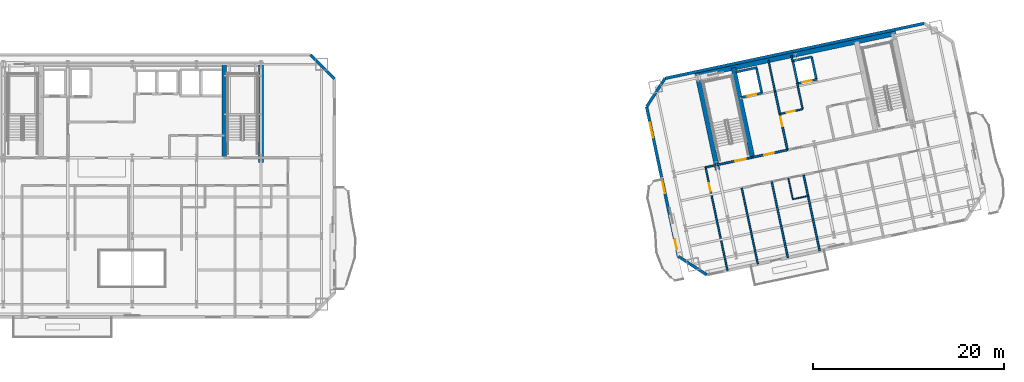
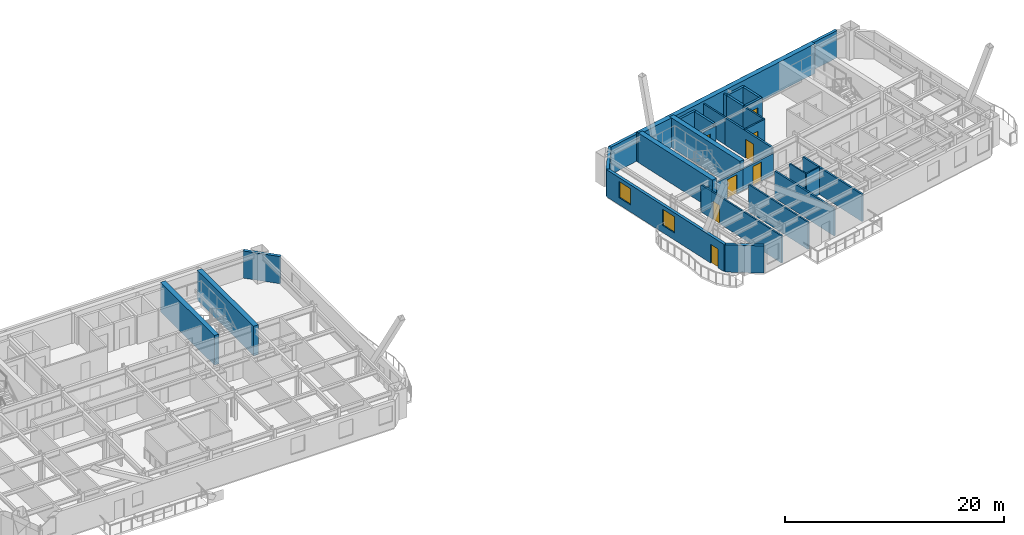
# One storey, part 7 of 13: 31 walls, 8 doors, 2 windows, 10 openings.
"""IFC4 building model written with IfcOpenShell, lengths in metres."""

from ifc_helpers import new_model, si_unit, direction, frame, frame_2d, origin, place, context, subcontext, project, spatial, rectangle, extrude, material, layer, layer_set, type_object, element, fill, save


model = new_model("IFC4")

# Units and contexts
model_context = context("Model", 3, precision=1e-05, world=origin(), true_north=direction((0.0, 1.0)))
body_context = subcontext(model_context, "Body", "Model", "MODEL_VIEW")
ifc_project = project(units=[si_unit("LENGTHUNIT", "METRE"), si_unit("AREAUNIT", "SQUARE_METRE"), si_unit("VOLUMEUNIT", "CUBIC_METRE"), si_unit("PLANEANGLEUNIT", "RADIAN"), si_unit("MASSUNIT", "GRAM", prefix="KILO")], contexts=[model_context])

# Site, building, storey
site_placement = place(None, origin())
site = spatial("IfcSite", under=ifc_project, at=site_placement, CompositionType="ELEMENT")
building_placement = place(site_placement, origin())
building = spatial("IfcBuilding", under=site, at=building_placement, Name="Haevon Station Towers", CompositionType="ELEMENT")
storey_placement = place(building_placement, frame((0.0, 0.0, 146.10009765625)))
storey = spatial("IfcBuildingStorey", under=building, at=storey_placement, Name="L39", CompositionType="ELEMENT", Elevation=146.10009765625)

# Walls
ifc_material_1 = material(Name="Gypsum board on steel stud", Category="steel")
ifc_layer_1 = layer(ifc_material_1, 0.179931640625)
ifc_layer_set_1 = layer_set([ifc_layer_1], Name="Gypsum board on steel stud")
wall_type_1 = type_object("IfcWallType", Name="WL-ACU180", PredefinedType="PARTITIONING", material=ifc_layer_set_1)
for number, where, z_axis, x_axis, name in (
    (1, (106.229248046875, 27.73486328125, 0.0), (0.0, 0.0, 1.0), (-0.207923042997, 0.978145187685, 0.0), "WL-T2PT-L39-06"),
    (2, (109.57080078125, 28.445068359375, 0.0), (0.0, 0.0, 1.0), (-0.207923042997, 0.978145187685, 0.0), "WL-T2PT-L39-09"),
):
    element("IfcWall", number, at=place(storey_placement, frame(where, z_axis=z_axis, x_axis=x_axis)), inside=storey, type_object=wall_type_1, Name=name, PredefinedType="PARTITIONING", context=body_context, shape_type="SweptSolid", body=[
        extrude(rectangle(XDim=8.130126953125, YDim=0.179931640625, at=frame_2d((4.06494140625, 0.0))), origin(), (0.0, 0.0, 1.0), 3.02978515625),
    ])

# Wall, opening, door
ifc_layer_2 = layer(ifc_material_1, 0.199951171875)
ifc_layer_set_2 = layer_set([ifc_layer_2], Name="Gypsum board on steel stud")
wall_type_2 = type_object("IfcWallType", Name="WL-COR200", PredefinedType="PARTITIONING", material=ifc_layer_set_2)
wall_1_placement = place(storey_placement, frame((98.75244140625, 37.4423828125, 0.0), z_axis=(0.0, 0.0, 1.0), x_axis=(0.978143537786, 0.207930804564, 0.0)))
wall_1 = element("IfcWall", 3, at=wall_1_placement, inside=storey, type_object=wall_type_2, Name="WL-ST-ST3-L39", PredefinedType="PARTITIONING", context=body_context, shape_type="SweptSolid", body=[
    extrude(rectangle(XDim=3.85009765625, YDim=0.199951171875, at=frame_2d((1.925048828125, 0.0))), origin(), (0.0, 0.0, 1.0), 2.3798828125),
])
opening_1_placement = place(wall_1_placement, frame((2.0, 0.0, 0.0)))
opening_1 = element("IfcOpeningElement", 4, at=opening_1_placement, cuts=wall_1, Name="Opening DR-ST-ST3-L39", PredefinedType="OPENING", context=body_context, shape_type="SweptSolid", body=[
    extrude(rectangle(XDim=1.1201171875, YDim=2.10009765625, at=frame_2d((0.56005859375, 1.050048828125))), frame((0.0, 0.10986328125, 0.0), z_axis=(0.0, -1.0, 0.0), x_axis=(1.0, 0.0, 0.0)), (0.0, 0.0, 1.0), 0.219970703125),
])
ifc_material_2 = material(Name="Engineered oak timber", Category="wood")
door_type_1 = type_object("IfcDoorType", Name="DR-ST-1120", OperationType="NOTDEFINED", PredefinedType="DOOR", material=ifc_material_2)
door_1_placement = place(opening_1_placement, origin())
door_1 = element("IfcDoor", 5, at=door_1_placement, inside=storey, type_object=door_type_1, Name="L39 Escape Stair ST3 Fire Door", OperationType="SINGLE_SWING_RIGHT", OverallHeight=2.10009765625, OverallWidth=1.1201171875, PredefinedType="DOOR", context=body_context, shape_type="SweptSolid", body=[
    extrude(rectangle(XDim=1.1201171875, YDim=2.10009765625, at=frame_2d((0.56005859375, 1.050048828125))), frame((0.0, 0.02490234375, 0.0), z_axis=(0.0, -1.0, 0.0), x_axis=(1.0, 0.0, 0.0)), (0.0, 0.0, 1.0), 0.050048828125),
])
fill(opening_1, door_1)

wall_2_placement = place(storey_placement, frame((106.186279296875, 39.0224609375, 0.0), z_axis=(0.0, 0.0, 1.0), x_axis=(-0.207916691923, 0.978146537703, 0.0)))
wall_2 = element("IfcWall", 6, at=wall_2_placement, inside=storey, type_object=wall_type_2, Name="WL-T2FFL-L39-E", PredefinedType="PARTITIONING", context=body_context, shape_type="SweptSolid", body=[
    extrude(rectangle(XDim=6.35009765625, YDim=0.199951171875, at=frame_2d((3.175048828125, 0.0))), origin(), (0.0, 0.0, 1.0), 3.02978515625),
])
opening_2_placement = place(wall_2_placement, frame((2.52001953125, 0.0, 0.0)))
opening_2 = element("IfcOpeningElement", 7, at=opening_2_placement, cuts=wall_2, Name="Opening DR-T2FFL-L39-E", PredefinedType="OPENING", context=body_context, shape_type="SweptSolid", body=[
    extrude(rectangle(XDim=1.050048828125, YDim=2.10009765625, at=frame_2d((0.52490234375, 1.050048828125))), frame((0.0, 0.10986328125, 0.0), z_axis=(0.0, -1.0, 0.0), x_axis=(1.0, 0.0, 0.0)), (0.0, 0.0, 1.0), 0.219970703125),
])
door_type_2 = type_object("IfcDoorType", Name="DR-FD60-1050", OperationType="NOTDEFINED", PredefinedType="DOOR", material=ifc_material_2)
door_2_placement = place(opening_2_placement, origin())
door_2 = element("IfcDoor", 8, at=door_2_placement, inside=storey, type_object=door_type_2, Name="L39 Tower 2 Firefighting Lift Lobby Door E", OperationType="SINGLE_SWING_RIGHT", OverallHeight=2.10009765625, OverallWidth=1.050048828125, PredefinedType="DOOR", context=body_context, shape_type="SweptSolid", body=[
    extrude(rectangle(XDim=1.050048828125, YDim=2.10009765625, at=frame_2d((0.52490234375, 1.050048828125))), frame((0.0, 0.02490234375, 0.0), z_axis=(0.0, -1.0, 0.0), x_axis=(1.0, 0.0, 0.0)), (0.0, 0.0, 1.0), 0.050048828125),
])
fill(opening_2, door_2)

wall_3_placement = place(storey_placement, frame((102.518310546875, 38.242919921875, 0.0), z_axis=(0.0, 0.0, 1.0), x_axis=(0.978153555683, 0.20788367301, 0.0)))
wall_3 = element("IfcWall", 9, at=wall_3_placement, inside=storey, type_object=wall_type_2, Name="WL-T2FFL-L39-S", PredefinedType="PARTITIONING", context=body_context, shape_type="SweptSolid", body=[
    extrude(rectangle(XDim=3.75, YDim=0.199951171875, at=frame_2d((1.875, 0.0))), origin(), (0.0, 0.0, 1.0), 2.3798828125),
])
opening_3_placement = place(wall_3_placement, frame((1.25, 0.0, 0.0)))
opening_3 = element("IfcOpeningElement", 10, at=opening_3_placement, cuts=wall_3, Name="Opening DR-T2FFL-L39-S", PredefinedType="OPENING", context=body_context, shape_type="SweptSolid", body=[
    extrude(rectangle(XDim=1.050048828125, YDim=2.10009765625, at=frame_2d((0.52490234375, 1.050048828125))), frame((0.0, 0.10986328125, 0.0), z_axis=(0.0, -1.0, 0.0), x_axis=(1.0, 0.0, 0.0)), (0.0, 0.0, 1.0), 0.219970703125),
])
door_3_placement = place(opening_3_placement, origin())
door_3 = element("IfcDoor", 11, at=door_3_placement, inside=storey, type_object=door_type_2, Name="L39 Tower 2 Firefighting Lift Lobby Door S", OperationType="SINGLE_SWING_LEFT", OverallHeight=2.10009765625, OverallWidth=1.050048828125, PredefinedType="DOOR", context=body_context, shape_type="SweptSolid", body=[
    extrude(rectangle(XDim=1.050048828125, YDim=2.10009765625, at=frame_2d((0.52490234375, 1.050048828125))), frame((0.0, 0.02490234375, 0.0), z_axis=(0.0, -1.0, 0.0), x_axis=(1.0, 0.0, 0.0)), (0.0, 0.0, 1.0), 0.050048828125),
])
fill(opening_3, door_3)

# Walls
ifc_material_3 = material(Name="Concrete C60/75", Category="concrete")
ifc_layer_3 = layer(ifc_material_3, 0.5)
ifc_layer_set_3 = layer_set([ifc_layer_3], Name="Concrete C60/75")
wall_type_3 = type_object("IfcWallType", Name="WL-CR500", PredefinedType="SHEAR", material=ifc_layer_set_3)
wall_4_placement = place(storey_placement, frame((51.0, 37.679931640625, 0.0), z_axis=(0.0, 0.0, 1.0), x_axis=(0.0, 1.0, 0.0)))
element("IfcWall", 12, at=wall_4_placement, inside=storey, type_object=wall_type_3, Name="WL-T1CR-L39-E", PredefinedType="SHEAR", context=body_context, shape_type="SweptSolid", body=[
    extrude(rectangle(XDim=10.320068359375, YDim=0.5, at=frame_2d((5.16015625, 0.0))), origin(), (0.0, 0.0, 1.0), 3.2998046875),
])
wall_5_placement = place(storey_placement, frame((47.14990234375, 38.199951171875, 0.0), z_axis=(0.0, 0.0, 1.0), x_axis=(0.0, 1.0, 0.0)))
element("IfcWall", 13, at=wall_5_placement, inside=storey, type_object=wall_type_3, Name="WL-T1CR-L39-M2", PredefinedType="SHEAR", context=body_context, shape_type="SweptSolid", body=[
    extrude(rectangle(XDim=9.800048828125, YDim=0.5, at=frame_2d((4.89990234375, 0.0))), origin(), (0.0, 0.0, 1.0), 3.2998046875),
])
wall_6_placement = place(storey_placement, frame((96.511962890625, 46.78076171875, 0.0), z_axis=(0.0, 0.0, 1.0), x_axis=(0.978148546782, 0.207907239961, 0.0)))
element("IfcWall", 14, at=wall_6_placement, inside=storey, type_object=wall_type_3, Name="WL-T2CR-L39-N", PredefinedType="SHEAR", context=body_context, shape_type="SweptSolid", body=[
    extrude(rectangle(XDim=21.499755859375, YDim=0.5, at=frame_2d((10.75, 0.0))), origin(), (0.0, 0.0, 1.0), 3.2998046875),
])
wall_7_placement = place(storey_placement, frame((98.8603515625, 36.933837890625, 0.0), z_axis=(0.0, 0.0, 1.0), x_axis=(-0.20790924889, 0.978148119778, 0.0)))
element("IfcWall", 15, at=wall_7_placement, inside=storey, type_object=wall_type_3, Name="WL-T2CR-L39-W", PredefinedType="SHEAR", context=body_context, shape_type="SweptSolid", body=[
    extrude(rectangle(XDim=10.119873046875, YDim=0.5, at=frame_2d((5.06005859375, 0.0))), origin(), (0.0, 0.0, 1.0), 3.2998046875),
])
wall_8_placement = place(storey_placement, frame((102.518310546875, 38.242919921875, 0.0), z_axis=(0.0, 0.0, 1.0), x_axis=(-0.207927495108, 0.978144241295, 0.0)))
element("IfcWall", 16, at=wall_8_placement, inside=storey, type_object=wall_type_3, Name="WL-T2CR-L39-M1", PredefinedType="SHEAR", context=body_context, shape_type="SweptSolid", body=[
    extrude(rectangle(XDim=9.599853515625, YDim=0.5, at=frame_2d((4.7998046875, 0.0))), origin(), (0.0, 0.0, 1.0), 3.2998046875),
])
ifc_material_4 = material(Name="Precast concrete C45/55", Category="concrete")
ifc_layer_4 = layer(ifc_material_4, 0.300048828125)
ifc_layer_set_4 = layer_set([ifc_layer_4], Name="Precast concrete C45/55")
wall_type_4 = type_object("IfcWallType", Name="WL-EXT-PIER300", PredefinedType="SOLIDWALL", material=ifc_layer_set_4)
wall_9_placement = place(storey_placement, frame((56.199951171875, 49.0, 0.0), z_axis=(0.0, 0.0, 1.0), x_axis=(0.707106781187, -0.707106781187, 0.0)))
element("IfcWall", 17, at=wall_9_placement, inside=storey, type_object=wall_type_4, Name="WL-T1-L39-NEC", PredefinedType="SOLIDWALL", context=body_context, shape_type="SweptSolid", body=[
    extrude(rectangle(XDim=3.53564453125, YDim=0.300048828125, at=frame_2d((1.767822265625, 0.0))), origin(), (0.0, 0.0, 1.0), 3.02978515625),
])
wall_10_placement = place(storey_placement, frame((97.72412109375, 25.927001953125, 0.0), z_axis=(0.0, 0.0, 1.0), x_axis=(-0.838672309694, 0.544636352948, 0.0)))
element("IfcWall", 18, at=wall_10_placement, inside=storey, type_object=wall_type_4, Name="WL-T2-L39-SWC", PredefinedType="SOLIDWALL", context=body_context, shape_type="SweptSolid", body=[
    extrude(rectangle(XDim=3.535400390625, YDim=0.300048828125, at=frame_2d((1.767578125, 0.0))), origin(), (0.0, 0.0, 1.0), 3.02978515625),
])

# Wall, openings, door, windows
wall_11_placement = place(storey_placement, frame((94.759033203125, 27.8525390625, 0.0), z_axis=(0.0, 0.0, 1.0), x_axis=(-0.207922793235, 0.978145240776, 0.0)))
wall_11 = element("IfcWall", 19, at=wall_11_placement, inside=storey, type_object=wall_type_4, Name="WL-T2-L39-W", PredefinedType="SOLIDWALL", context=body_context, shape_type="SweptSolid", body=[
    extrude(rectangle(XDim=16.050048828125, YDim=0.300048828125, at=frame_2d((8.02490234375, 0.0))), origin(), (0.0, 0.0, 1.0), 3.02978515625),
])
opening_4_placement = place(wall_11_placement, frame((0.800048828125, 0.0, 0.0)))
opening_4 = element("IfcOpeningElement", 20, at=opening_4_placement, cuts=wall_11, Name="Opening DR-T2-SCAL-L39-W", PredefinedType="OPENING", context=body_context, shape_type="SweptSolid", body=[
    extrude(rectangle(XDim=1.050048828125, YDim=2.10009765625, at=frame_2d((0.52490234375, 1.050048828125))), frame((0.0, 0.159912109375, 0.0), z_axis=(0.0, -1.0, 0.0), x_axis=(1.0, 0.0, 0.0)), (0.0, 0.0, 1.0), 0.320068359375),
])
opening_5_placement = place(wall_11_placement, frame((6.76611328125, 0.0, 0.800048828125)))
opening_5 = element("IfcOpeningElement", 21, at=opening_5_placement, cuts=wall_11, Name="Opening WN-END160", PredefinedType="OPENING", context=body_context, shape_type="SweptSolid", body=[
    extrude(rectangle(XDim=1.60009765625, YDim=1.800048828125, at=frame_2d((0.800048828125, 0.89990234375))), frame((0.0, 0.159912109375, 0.0), z_axis=(0.0, -1.0, 0.0), x_axis=(1.0, 0.0, 0.0)), (0.0, 0.0, 1.0), 0.320068359375),
])
opening_6_placement = place(wall_11_placement, frame((12.732177734375, 0.0, 0.800048828125)))
opening_6 = element("IfcOpeningElement", 22, at=opening_6_placement, cuts=wall_11, Name="Opening WN-END160", PredefinedType="OPENING", context=body_context, shape_type="SweptSolid", body=[
    extrude(rectangle(XDim=1.60009765625, YDim=1.800048828125, at=frame_2d((0.800048828125, 0.89990234375))), frame((0.0, 0.159912109375, 0.0), z_axis=(0.0, -1.0, 0.0), x_axis=(1.0, 0.0, 0.0)), (0.0, 0.0, 1.0), 0.320068359375),
])
ifc_material_5 = material(Name="Thermally broken anodised aluminium and laminated safety glass", Category="aluminium")
door_type_3 = type_object("IfcDoorType", Name="DR-BALC-1050", OperationType="NOTDEFINED", PredefinedType="DOOR", material=ifc_material_5)
door_4_placement = place(opening_4_placement, origin())
door_4 = element("IfcDoor", 23, at=door_4_placement, inside=storey, type_object=door_type_3, Name="Tower 2 L39 West Scalloped Balcony Door", OperationType="SINGLE_SWING_LEFT", OverallHeight=2.10009765625, OverallWidth=1.050048828125, PredefinedType="DOOR", context=body_context, shape_type="SweptSolid", body=[
    extrude(rectangle(XDim=1.050048828125, YDim=2.10009765625, at=frame_2d((0.52490234375, 1.050048828125))), frame((0.0, 0.02490234375, 0.0), z_axis=(0.0, -1.0, 0.0), x_axis=(1.0, 0.0, 0.0)), (0.0, 0.0, 1.0), 0.050048828125),
])
fill(opening_4, door_4)
ifc_material_6 = material(Name="Low-E triple glazing in thermally broken aluminium", Category="aluminium")
window_type = type_object("IfcWindowType", Name="WN-END160", PartitioningType="SINGLE_PANEL", PredefinedType="WINDOW", material=ifc_material_6)
window_1_placement = place(opening_5_placement, origin())
window_1 = element("IfcWindow", 24, at=window_1_placement, inside=storey, type_object=window_type, Name="WN-T2-L39-W01", OverallHeight=1.800048828125, OverallWidth=1.60009765625, PartitioningType="SINGLE_PANEL", PredefinedType="WINDOW", context=body_context, shape_type="SweptSolid", body=[
    extrude(rectangle(XDim=1.60009765625, YDim=1.800048828125, at=frame_2d((0.800048828125, 0.89990234375))), frame((0.0, 0.030029296875, 0.0), z_axis=(0.0, -1.0, 0.0), x_axis=(1.0, 0.0, 0.0)), (0.0, 0.0, 1.0), 0.06005859375),
])
fill(opening_5, window_1)
window_2_placement = place(opening_6_placement, origin())
window_2 = element("IfcWindow", 25, at=window_2_placement, inside=storey, type_object=window_type, Name="WN-T2-L39-W02", OverallHeight=1.800048828125, OverallWidth=1.60009765625, PartitioningType="SINGLE_PANEL", PredefinedType="WINDOW", context=body_context, shape_type="SweptSolid", body=[
    extrude(rectangle(XDim=1.60009765625, YDim=1.800048828125, at=frame_2d((0.800048828125, 0.89990234375))), frame((0.0, 0.030029296875, 0.0), z_axis=(0.0, -1.0, 0.0), x_axis=(1.0, 0.0, 0.0)), (0.0, 0.0, 1.0), 0.06005859375),
])
fill(opening_6, window_2)

# Walls
wall_12_placement = place(storey_placement, frame((91.421875, 43.5517578125, 0.0), z_axis=(0.0, 0.0, 1.0), x_axis=(0.544604812064, 0.838692791597, 0.0)))
element("IfcWall", 26, at=wall_12_placement, inside=storey, type_object=wall_type_4, Name="WL-T2-L39-NWC", PredefinedType="SOLIDWALL", context=body_context, shape_type="SweptSolid", body=[
    extrude(rectangle(XDim=3.53564453125, YDim=0.300048828125, at=frame_2d((1.767822265625, 0.0))), origin(), (0.0, 0.0, 1.0), 3.02978515625),
])
wall_13_placement = place(storey_placement, frame((93.347412109375, 46.51708984375, 0.0), z_axis=(0.0, 0.0, 1.0), x_axis=(0.978148962338, 0.207905284872, 0.0)))
element("IfcWall", 27, at=wall_13_placement, inside=storey, type_object=wall_type_4, Name="WL-T2-L39-N", PredefinedType="SOLIDWALL", context=body_context, shape_type="SweptSolid", body=[
    extrude(rectangle(XDim=27.800048828125, YDim=0.300048828125, at=frame_2d((13.89990234375, 0.0))), origin(), (0.0, 0.0, 1.0), 3.02978515625),
])
ifc_layer_5 = layer(ifc_material_1, 0.125)
ifc_layer_set_5 = layer_set([ifc_layer_5], Name="Gypsum board on steel stud")
wall_type_5 = type_object("IfcWallType", Name="WL-PRT125", PredefinedType="PARTITIONING", material=ifc_layer_set_5)
wall_14_placement = place(storey_placement, frame((106.747802734375, 33.8564453125, 0.0), z_axis=(0.0, 0.0, 1.0), x_axis=(0.978156954636, 0.207867679299, 0.0)))
element("IfcWall", 28, at=wall_14_placement, inside=storey, type_object=wall_type_5, Name="WL-T2PT-L39-07", PredefinedType="PARTITIONING", context=body_context, shape_type="SweptSolid", body=[
    extrude(rectangle(XDim=1.635986328125, YDim=0.125, at=frame_2d((0.81787109375, 0.0))), origin(), (0.0, 0.0, 1.0), 3.02978515625),
])
wall_15_placement = place(storey_placement, frame((106.747802734375, 33.8564453125, 0.0), z_axis=(0.0, 0.0, 1.0), x_axis=(-0.207913264065, 0.978147266328, 0.0)))
element("IfcWall", 29, at=wall_15_placement, inside=storey, type_object=wall_type_5, Name="WL-T2PT-L39-08", PredefinedType="PARTITIONING", context=body_context, shape_type="SweptSolid", body=[
    extrude(rectangle(XDim=2.249755859375, YDim=0.125, at=frame_2d((1.125, 0.0))), origin(), (0.0, 0.0, 1.0), 3.02978515625),
])
ifc_layer_6 = layer(ifc_material_1, 0.159912109375)
ifc_layer_set_6 = layer_set([ifc_layer_6], Name="Gypsum board on steel stud")
wall_type_6 = type_object("IfcWallType", Name="WL-PRT160", PredefinedType="PARTITIONING", material=ifc_layer_set_6)
wall_16_placement = place(storey_placement, frame((104.88671875, 45.135986328125, 0.0), z_axis=(0.0, 0.0, 1.0), x_axis=(-0.207846553267, 0.978161443881, 0.0)))
element("IfcWall", 30, at=wall_16_placement, inside=storey, type_object=wall_type_6, Name="WL-T2CW-L39-01", PredefinedType="PARTITIONING", context=body_context, shape_type="SweptSolid", body=[
    extrude(rectangle(XDim=3.35009765625, YDim=0.159912109375, at=frame_2d((1.675048828125, 0.0))), origin(), (0.0, 0.0, 1.0), 3.02978515625),
])

# Wall, opening, door
wall_17_placement = place(storey_placement, frame((105.3857421875, 42.788330078125, 0.0), z_axis=(0.0, 0.0, 1.0), x_axis=(0.978136559131, 0.207963630695, 0.0)))
wall_17 = element("IfcWall", 31, at=wall_17_placement, inside=storey, type_object=wall_type_6, Name="WL-T2CW-L39-02", PredefinedType="PARTITIONING", context=body_context, shape_type="SweptSolid", body=[
    extrude(rectangle(XDim=2.449951171875, YDim=0.159912109375, at=frame_2d((1.22509765625, 0.0))), origin(), (0.0, 0.0, 1.0), 3.02978515625),
])
opening_7_placement = place(wall_17_placement, frame((0.719970703125, 0.0, 0.0)))
opening_7 = element("IfcOpeningElement", 32, at=opening_7_placement, cuts=wall_17, Name="Opening DR-WL-T2CW-L39-02-1", PredefinedType="OPENING", context=body_context, shape_type="SweptSolid", body=[
    extrude(rectangle(XDim=0.89990234375, YDim=2.10009765625, at=frame_2d((0.449951171875, 1.050048828125))), frame((0.0, 0.08984375, 0.0), z_axis=(0.0, -1.0, 0.0), x_axis=(1.0, 0.0, 0.0)), (0.0, 0.0, 1.0), 0.179931640625),
])
door_type_4 = type_object("IfcDoorType", Name="DR-FD60-900", OperationType="NOTDEFINED", PredefinedType="DOOR", material=ifc_material_2)
door_5_placement = place(opening_7_placement, origin())
door_5 = element("IfcDoor", 33, at=door_5_placement, inside=storey, type_object=door_type_4, Name="L39 Tower 2 Core Room Door 2-1", OperationType="SINGLE_SWING_LEFT", OverallHeight=2.10009765625, OverallWidth=0.89990234375, PredefinedType="DOOR", context=body_context, shape_type="SweptSolid", body=[
    extrude(rectangle(XDim=0.89990234375, YDim=2.10009765625, at=frame_2d((0.449951171875, 1.050048828125))), frame((0.0, 0.02490234375, 0.0), z_axis=(0.0, -1.0, 0.0), x_axis=(1.0, 0.0, 0.0)), (0.0, 0.0, 1.0), 0.050048828125),
])
fill(opening_7, door_5)

# Walls
wall_18_placement = place(storey_placement, frame((107.7822265625, 43.2978515625, 0.0), z_axis=(0.0, 0.0, 1.0), x_axis=(-0.207873355681, 0.978155748334, 0.0)))
element("IfcWall", 34, at=wall_18_placement, inside=storey, type_object=wall_type_6, Name="WL-T2CW-L39-03", PredefinedType="PARTITIONING", context=body_context, shape_type="SweptSolid", body=[
    extrude(rectangle(XDim=2.800048828125, YDim=0.159912109375, at=frame_2d((1.39990234375, 0.0))), origin(), (0.0, 0.0, 1.0), 3.02978515625),
])
wall_19_placement = place(storey_placement, frame((106.721923828125, 48.286376953125, 0.0), z_axis=(0.0, 0.0, 1.0), x_axis=(-0.208092352933, 0.978109182377, 0.0)))
element("IfcWall", 35, at=wall_19_placement, inside=storey, type_object=wall_type_6, Name="WL-T2CW-L39-04", PredefinedType="PARTITIONING", context=body_context, shape_type="SweptSolid", body=[
    extrude(rectangle(XDim=0.64990234375, YDim=0.159912109375, at=frame_2d((0.324951171875, 0.0))), origin(), (0.0, 0.0, 1.0), 3.02978515625),
])
wall_20_placement = place(storey_placement, frame((103.084228515625, 27.06640625, 0.0), z_axis=(0.0, 0.0, 1.0), x_axis=(-0.20790041837, 0.978149996699, 0.0)))
element("IfcWall", 36, at=wall_20_placement, inside=storey, type_object=wall_type_6, Name="WL-T2PT-L39-01", PredefinedType="PARTITIONING", context=body_context, shape_type="SweptSolid", body=[
    extrude(rectangle(XDim=8.1298828125, YDim=0.159912109375, at=frame_2d((4.06494140625, 0.0))), origin(), (0.0, 0.0, 1.0), 3.02978515625),
])
wall_21_placement = place(storey_placement, frame((97.60302734375, 37.197998046875, 0.0), z_axis=(0.0, 0.0, 1.0), x_axis=(0.978135611929, 0.207968085714, 0.0)))
element("IfcWall", 37, at=wall_21_placement, inside=storey, type_object=wall_type_6, Name="WL-T2PT-L39-02", PredefinedType="PARTITIONING", context=body_context, shape_type="SweptSolid", body=[
    extrude(rectangle(XDim=1.175048828125, YDim=0.159912109375, at=frame_2d((0.58740234375, 0.0))), origin(), (0.0, 0.0, 1.0), 2.3798828125),
])

# Wall, opening, door
wall_22_placement = place(storey_placement, frame((99.900390625, 26.3896484375, 0.0), z_axis=(0.0, 0.0, 1.0), x_axis=(-0.207909755675, 0.978148012059, 0.0)))
wall_22 = element("IfcWall", 38, at=wall_22_placement, inside=storey, type_object=wall_type_6, Name="WL-T2PT-L39-04", PredefinedType="PARTITIONING", context=body_context, shape_type="SweptSolid", body=[
    extrude(rectangle(XDim=11.0498046875, YDim=0.159912109375, at=frame_2d((5.52490234375, 0.0))), origin(), (0.0, 0.0, 1.0), 3.02978515625),
])
opening_8_placement = place(wall_22_placement, frame((8.449951171875, 0.0, 0.0)))
opening_8 = element("IfcOpeningElement", 39, at=opening_8_placement, cuts=wall_22, Name="Opening DR-WL-T2PT-L39-04-01", PredefinedType="OPENING", context=body_context, shape_type="SweptSolid", body=[
    extrude(rectangle(XDim=0.89990234375, YDim=2.050048828125, at=frame_2d((0.449951171875, 1.02490234375))), frame((0.0, 0.08984375, 0.0), z_axis=(0.0, -1.0, 0.0), x_axis=(1.0, 0.0, 0.0)), (0.0, 0.0, 1.0), 0.179931640625),
])
door_type_5 = type_object("IfcDoorType", Name="DR-INT-900", OperationType="NOTDEFINED", PredefinedType="DOOR", material=ifc_material_2)
door_6_placement = place(opening_8_placement, origin())
door_6 = element("IfcDoor", 40, at=door_6_placement, inside=storey, type_object=door_type_5, Name="L39 Tower 2 Room Door 4-1", OperationType="SINGLE_SWING_RIGHT", OverallHeight=2.050048828125, OverallWidth=0.89990234375, PredefinedType="DOOR", context=body_context, shape_type="SweptSolid", body=[
    extrude(rectangle(XDim=0.89990234375, YDim=2.050048828125, at=frame_2d((0.449951171875, 1.02490234375))), frame((0.0, 0.02490234375, 0.0), z_axis=(0.0, -1.0, 0.0), x_axis=(1.0, 0.0, 0.0)), (0.0, 0.0, 1.0), 0.050048828125),
])
fill(opening_8, door_6)

ifc_material_7 = material(Name="Concrete C40/50", Category="concrete")
ifc_layer_7 = layer(ifc_material_7, 0.239990234375)
ifc_layer_set_7 = layer_set([ifc_layer_7], Name="Concrete C40/50")
wall_type_7 = type_object("IfcWallType", Name="WL-SHF240", PredefinedType="PARTITIONING", material=ifc_layer_set_7)
wall_23_placement = place(storey_placement, frame((101.353759765625, 44.538330078125, 0.0), z_axis=(0.0, 0.0, 1.0), x_axis=(0.978141002414, 0.207942731049, 0.0)))
wall_23 = element("IfcWall", 41, at=wall_23_placement, inside=storey, type_object=wall_type_7, Name="WL-SHF-FL2-L39", PredefinedType="PARTITIONING", context=body_context, shape_type="SweptSolid", body=[
    extrude(rectangle(XDim=2.260009765625, YDim=0.239990234375, at=frame_2d((1.1298828125, 0.0))), origin(), (0.0, 0.0, 1.0), 2.72998046875),
])
opening_9_placement = place(wall_23_placement, frame((0.655029296875, 0.0, 0.0)))
opening_9 = element("IfcOpeningElement", 42, at=opening_9_placement, cuts=wall_23, Name="Opening LD-FL2-L39", PredefinedType="OPENING", context=body_context, shape_type="SweptSolid", body=[
    extrude(rectangle(XDim=0.949951171875, YDim=2.14990234375, at=frame_2d((0.47509765625, 1.074951171875))), frame((0.0, 0.1298828125, 0.0), z_axis=(0.0, -1.0, 0.0), x_axis=(1.0, 0.0, 0.0)), (0.0, 0.0, 1.0), 0.260009765625),
])
ifc_material_8 = material(Name="Stainless steel and rated core", Category="steel")
door_type_6 = type_object("IfcDoorType", Name="LD-FL950", OperationType="SLIDING_TO_LEFT", PredefinedType="DOOR", material=ifc_material_8)
door_7_placement = place(opening_9_placement, origin())
door_7 = element("IfcDoor", 43, at=door_7_placement, inside=storey, type_object=door_type_6, Name="L39 Lift FL2 Sliding Landing Door", OperationType="SLIDING_TO_LEFT", OverallHeight=2.14990234375, OverallWidth=0.949951171875, PredefinedType="DOOR", context=body_context, shape_type="SweptSolid", body=[
    extrude(rectangle(XDim=0.949951171875, YDim=2.14990234375, at=frame_2d((0.47509765625, 1.074951171875))), frame((0.0, 0.02490234375, 0.0), z_axis=(0.0, -1.0, 0.0), x_axis=(1.0, 0.0, 0.0)), (0.0, 0.0, 1.0), 0.050048828125),
])
fill(opening_9, door_7)

# Walls
wall_24_placement = place(storey_placement, frame((100.79248046875, 47.179443359375, 0.0), z_axis=(0.0, 0.0, 1.0), x_axis=(0.978162968872, 0.207839376268, 0.0)))
element("IfcWall", 44, at=wall_24_placement, inside=storey, type_object=wall_type_7, Name="WL-SHF-FL2-L39-N", PredefinedType="PARTITIONING", context=body_context, shape_type="SweptSolid", body=[
    extrude(rectangle(XDim=2.260009765625, YDim=0.239990234375, at=frame_2d((1.1298828125, 0.0))), origin(), (0.0, 0.0, 1.0), 3.02978515625),
])
wall_25_placement = place(storey_placement, frame((103.486328125, 44.99169921875, 0.0), z_axis=(0.0, 0.0, 1.0), x_axis=(-0.207978798957, 0.978133334052, 0.0)))
element("IfcWall", 45, at=wall_25_placement, inside=storey, type_object=wall_type_7, Name="WL-SHF-FL2-L39-E", PredefinedType="PARTITIONING", context=body_context, shape_type="SweptSolid", body=[
    extrude(rectangle(XDim=2.699951171875, YDim=0.239990234375, at=frame_2d((1.35009765625, 0.0))), origin(), (0.0, 0.0, 1.0), 3.02978515625),
])

# Wall, opening, door
wall_26_placement = place(storey_placement, frame((107.18115234375, 45.9814453125, 0.0), z_axis=(0.0, 0.0, 1.0), x_axis=(0.97813528961, 0.207969601673, 0.0)))
wall_26 = element("IfcWall", 46, at=wall_26_placement, inside=storey, type_object=wall_type_7, Name="WL-SHF-PL8-L39", PredefinedType="PARTITIONING", context=body_context, shape_type="SweptSolid", body=[
    extrude(rectangle(XDim=2.159912109375, YDim=0.239990234375, at=frame_2d((1.080078125, 0.0))), origin(), (0.0, 0.0, 1.0), 3.02978515625),
])
opening_10_placement = place(wall_26_placement, frame((0.554931640625, 0.0, 0.0)))
opening_10 = element("IfcOpeningElement", 47, at=opening_10_placement, cuts=wall_26, Name="Opening LD-PL8-L39", PredefinedType="OPENING", context=body_context, shape_type="SweptSolid", body=[
    extrude(rectangle(XDim=1.050048828125, YDim=2.14990234375, at=frame_2d((0.52490234375, 1.074951171875))), frame((0.0, 0.1298828125, 0.0), z_axis=(0.0, -1.0, 0.0), x_axis=(1.0, 0.0, 0.0)), (0.0, 0.0, 1.0), 0.260009765625),
])
door_type_7 = type_object("IfcDoorType", Name="LD-PL1050", OperationType="SLIDING_TO_LEFT", PredefinedType="DOOR", material=ifc_material_8)
door_8_placement = place(opening_10_placement, origin())
door_8 = element("IfcDoor", 48, at=door_8_placement, inside=storey, type_object=door_type_7, Name="L39 Lift PL8 Sliding Landing Door", OperationType="SLIDING_TO_LEFT", OverallHeight=2.14990234375, OverallWidth=1.050048828125, PredefinedType="DOOR", context=body_context, shape_type="SweptSolid", body=[
    extrude(rectangle(XDim=1.050048828125, YDim=2.14990234375, at=frame_2d((0.52490234375, 1.074951171875))), frame((0.0, 0.02490234375, 0.0), z_axis=(0.0, -1.0, 0.0), x_axis=(1.0, 0.0, 0.0)), (0.0, 0.0, 1.0), 0.050048828125),
])
fill(opening_10, door_8)

# Walls
wall_27_placement = place(storey_placement, frame((106.68212890625, 48.3291015625, 0.0), z_axis=(0.0, 0.0, 1.0), x_axis=(0.978158276388, 0.207861459473, 0.0)))
element("IfcWall", 49, at=wall_27_placement, inside=storey, type_object=wall_type_7, Name="WL-SHF-PL8-L39-N", PredefinedType="PARTITIONING", context=body_context, shape_type="SweptSolid", body=[
    extrude(rectangle(XDim=2.159912109375, YDim=0.239990234375, at=frame_2d((1.080078125, 0.0))), origin(), (0.0, 0.0, 1.0), 3.02978515625),
])
for number, where, z_axis, x_axis, name in (
    (50, (107.259521484375, 45.998046875, 0.0), (0.0, 0.0, 1.0), (-0.207917150959, 0.978146440129, 0.0), "WL-SHF-PL8-L39-W"),
    (51, (109.2158203125, 46.413818359375, 0.0), (0.0, 0.0, 1.0), (-0.207917150959, 0.978146440129, 0.0), "WL-SHF-PL8-L39-E"),
):
    element("IfcWall", number, at=place(storey_placement, frame(where, z_axis=z_axis, x_axis=x_axis)), inside=storey, type_object=wall_type_7, Name=name, PredefinedType="PARTITIONING", context=body_context, shape_type="SweptSolid", body=[
        extrude(rectangle(XDim=2.400146484375, YDim=0.239990234375, at=frame_2d((1.2001953125, 0.0))), origin(), (0.0, 0.0, 1.0), 3.02978515625),
    ])

save(model, "model.ifc")
